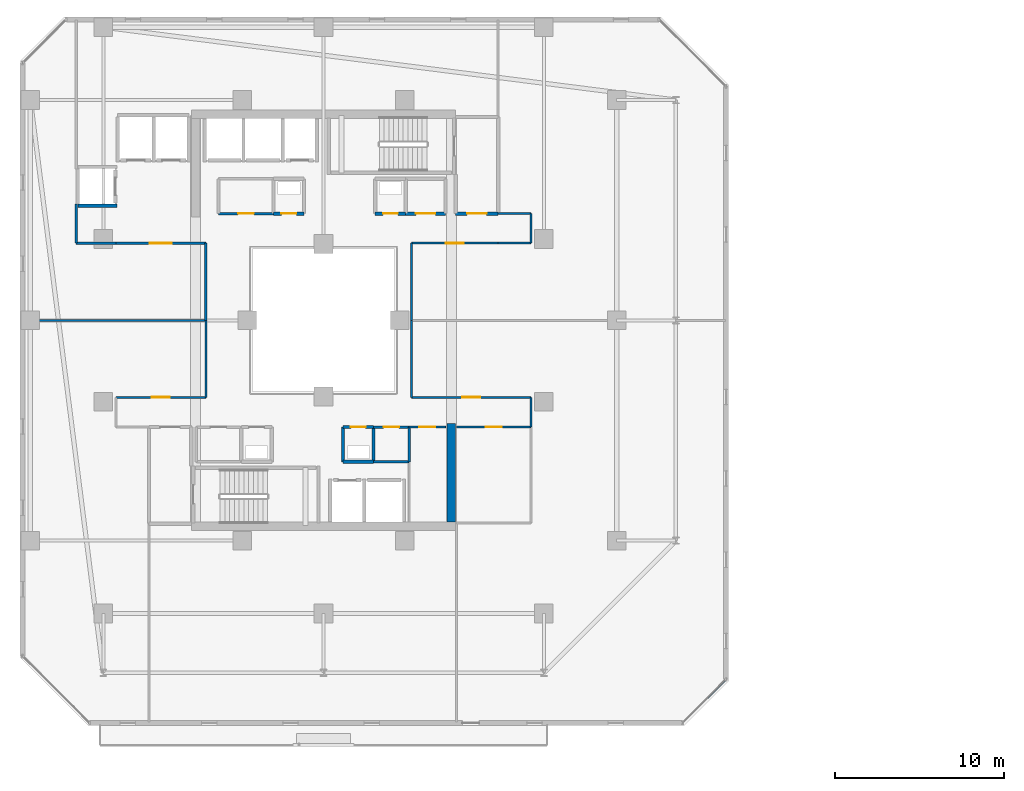
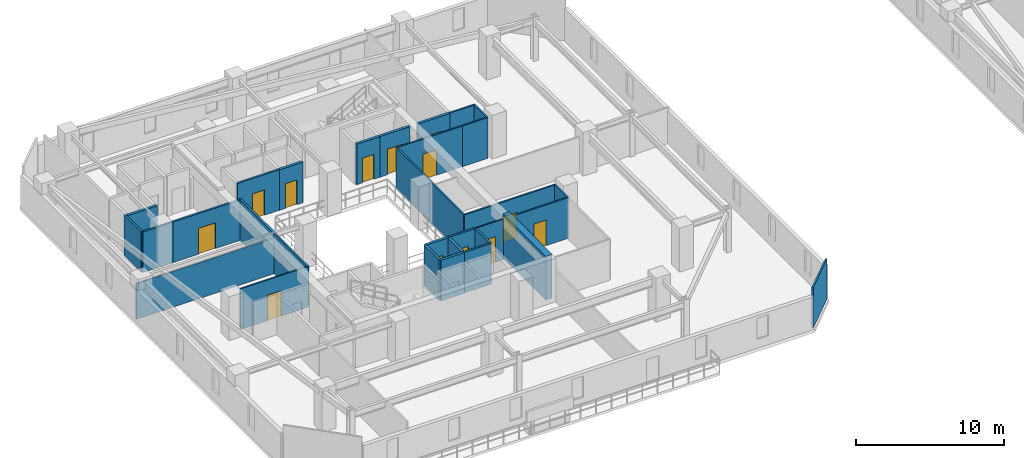
# One storey, part 20 of 32: 32 walls, 13 doors, 13 openings.
"""IFC4 building model written with IfcOpenShell, lengths in metres."""

import ifcopenshell
import ifcopenshell.guid

model = None  # the IFC model being written
_history = None  # IfcOwnerHistory: only IFC2X3 demands one
_inside = {}  # id of a spatial element -> (the spatial element, [elements in it])
_under = {}  # id of a project, library or spatial element -> (it, [spatial elements below it])
_declared = {}  # id of a project -> (the project, [libraries it declares])
_typed = {}  # id of a type object -> (the type object, [elements of that type])
_made_of = {}  # id of a material, layer set ... -> (it, [elements and type objects made of it])


def new_model(schema):
    """Start an empty IFC model of exactly this schema.

    Asked for "IFC4X3", IfcOpenShell would pick the latest addendum, in which some entities
    have other attributes; the version numbers below select the first issue.
    IFC2X3 requires an IfcOwnerHistory on every rooted entity: one is made here for all.
    """
    global model, _history
    if schema == "IFC4X3":
        model = ifcopenshell.file(schema_version=(4, 3, 0, 0))
    else:
        model = ifcopenshell.file(schema=schema)
    _inside.clear()
    _under.clear()
    _declared.clear()
    _typed.clear()
    _made_of.clear()
    _history = None
    if model.schema == "IFC2X3":
        org = make("IfcOrganization", Name="unknown")
        user = make(
            "IfcPersonAndOrganization",
            ThePerson=make("IfcPerson", FamilyName="unknown"),
            TheOrganization=org,
        )
        app = make(
            "IfcApplication",
            ApplicationDeveloper=org,
            Version="unknown",
            ApplicationFullName="unknown",
            ApplicationIdentifier="unknown",
        )
        _history = make(
            "IfcOwnerHistory",
            OwningUser=user,
            OwningApplication=app,
            ChangeAction="ADDED",
            CreationDate=0,
        )
    return model


def make(cls, **values):
    """One entity of the class cls with the attributes given. An attribute that is None is left unset."""
    return model.create_entity(
        cls, **{name: value for name, value in values.items() if value is not None}
    )


def rooted(cls, **values):
    """An entity with a GlobalId (a new one), such as an element, a storey or a relation."""
    return make(cls, GlobalId=ifcopenshell.guid.new(), OwnerHistory=_history, **values)


def si_unit(unit_type, name, prefix=None):
    """IfcSIUnit, for example si_unit("LENGTHUNIT", "METRE", prefix="MILLI")."""
    return make("IfcSIUnit", UnitType=unit_type, Prefix=prefix, Name=name)


def assignment(units):
    """IfcUnitAssignment: the units of a project."""
    return None if units is None else make("IfcUnitAssignment", Units=units)


def point(xyz):
    """IfcCartesianPoint."""
    return None if xyz is None else make("IfcCartesianPoint", Coordinates=xyz)


def direction(xyz):
    """IfcDirection."""
    return None if xyz is None else make("IfcDirection", DirectionRatios=xyz)


def frame(location, z_axis=None, x_axis=None):
    """IfcAxis2Placement3D, a coordinate frame: its origin and axes. An axis left out is left unset."""
    return make(
        "IfcAxis2Placement3D",
        Location=point(location),
        Axis=direction(z_axis),
        RefDirection=direction(x_axis),
    )


def frame_2d(location, x_axis=None):
    """IfcAxis2Placement2D, a coordinate frame in the plane: its origin and x axis."""
    return make(
        "IfcAxis2Placement2D", Location=point(location), RefDirection=direction(x_axis)
    )


def origin():
    """The frame at (0, 0, 0) with its axes left unset."""
    return frame((0.0, 0.0, 0.0))


def place(relative_to, where):
    """IfcLocalPlacement: puts the frame where relative to a parent placement (None: the world)."""
    return make(
        "IfcLocalPlacement", PlacementRelTo=relative_to, RelativePlacement=where
    )


def context(
    kind, dimensions, precision=None, world=None, true_north=None, identifier=None
):
    """IfcGeometricRepresentationContext, for example the 3D "Model" context."""
    return make(
        "IfcGeometricRepresentationContext",
        ContextIdentifier=identifier,
        ContextType=kind,
        CoordinateSpaceDimension=dimensions,
        Precision=precision,
        WorldCoordinateSystem=world,
        TrueNorth=true_north,
    )


def subcontext(parent, identifier, kind, view, scale=None):
    """IfcGeometricRepresentationSubContext, for example "Body" below "Model"."""
    return make(
        "IfcGeometricRepresentationSubContext",
        ContextIdentifier=identifier,
        ContextType=kind,
        ParentContext=parent,
        TargetScale=scale,
        TargetView=view,
    )


def project(units=None, contexts=None):
    """IfcProject with its units and contexts."""
    return rooted(
        "IfcProject",
        Name="project",
        RepresentationContexts=contexts,
        UnitsInContext=assignment(units),
    )


def spatial(cls, under=None, at=None, **own):
    """A site, building, storey or space (cls), placed at a placement, below another one or the project."""
    s = rooted(cls, ObjectPlacement=at, **own)
    if under is not None:
        _under.setdefault(under.id(), (under, []))[1].append(s)
    return s


def profile(cls, at=None, kind="AREA", **sizes):
    """A parametric profile (cls). Its sizes go by their IFC names, for example OverallWidth=200.0."""
    return make(cls, ProfileType=kind, Position=at, **sizes)


def rectangle(**sizes):
    """IfcRectangleProfileDef."""
    return profile("IfcRectangleProfileDef", **sizes)


def extrude(swept, where, along, depth):
    """IfcExtrudedAreaSolid: the profile swept, set in the frame where, extruded along a direction by depth."""
    return make(
        "IfcExtrudedAreaSolid",
        SweptArea=swept,
        Position=where,
        ExtrudedDirection=direction(along),
        Depth=depth,
    )


def shape(context_of_items, identifier, shape_type, items):
    """IfcShapeRepresentation: the items that make up one representation, for example the "Body"."""
    return make(
        "IfcShapeRepresentation",
        ContextOfItems=context_of_items,
        RepresentationIdentifier=identifier,
        RepresentationType=shape_type,
        Items=items,
    )


def material(Name=None, Category=None):
    """IfcMaterial."""
    return make("IfcMaterial", Name=Name, Category=Category)


def layer(
    of_material, thickness, ventilated=None, Name=None, Category=None, Priority=None
):
    """IfcMaterialLayer: one layer of a wall or slab, of a material (None: an air gap)."""
    return make(
        "IfcMaterialLayer",
        Material=of_material,
        LayerThickness=thickness,
        IsVentilated=ventilated,
        Name=Name,
        Category=Category,
        Priority=Priority,
    )


def layer_set(layers, Name=None):
    """IfcMaterialLayerSet."""
    return make("IfcMaterialLayerSet", MaterialLayers=layers, LayerSetName=Name)


def made_of(thing, what):
    """Note that an element or type object is made of a material, layer set ...; save() writes the relation."""
    if what is not None:
        _made_of.setdefault(what.id(), (what, []))[1].append(thing)
    return thing


def type_object(cls, material=None, **own):
    """A type object (cls), such as IfcWallType, which elements share."""
    return made_of(rooted(cls, **own), material)


def element(
    cls,
    number,
    at=None,
    inside=None,
    cuts=None,
    type_object=None,
    material=None,
    context=None,
    identifier="Body",
    shape_type=None,
    held_by="IfcProductDefinitionShape",
    body=None,
    shapes=None,
    **own,
):
    """One element of the class cls, such as IfcWall. Its Tag is "e" and its number.

    at: its placement. inside: the storey or other place that contains it. cuts: it is an
    opening in that element (IfcRelVoidsElement). A single representation is given by context,
    identifier, shape_type and body (its items); several are given by shapes. held_by: the class
    of the entity that holds the representations. save() writes the other relations.
    """
    e = rooted(cls, Tag="e%d" % number, ObjectPlacement=at, **own)
    if body is not None:
        shapes = [shape(context, identifier, shape_type, body)]
    if shapes is not None:
        e.Representation = make(held_by, Representations=shapes)
    if inside is not None:
        _inside.setdefault(inside.id(), (inside, []))[1].append(e)
    if cuts is not None:
        rooted(
            "IfcRelVoidsElement", RelatingBuildingElement=cuts, RelatedOpeningElement=e
        )
    if type_object is not None:
        _typed.setdefault(type_object.id(), (type_object, []))[1].append(e)
    return made_of(e, material)


def fill(opening, filler):
    """IfcRelFillsElement: the door or window that sits in an opening."""
    return rooted(
        "IfcRelFillsElement",
        RelatingOpeningElement=opening,
        RelatedBuildingElement=filler,
    )


def aggregate(whole, parts):
    """IfcRelAggregates: a whole, such as a stair, and the parts it consists of."""
    return rooted("IfcRelAggregates", RelatingObject=whole, RelatedObjects=parts)


def save(model, path):
    """Write the relations noted so far, then the file.

    IfcRelAggregates (storeys below a building ...), IfcRelContainedInSpatialStructure (elements
    in a storey), IfcRelDefinesByType, IfcRelAssociatesMaterial and IfcRelDeclares: one each for
    every whole, place, type object, material and project.
    """
    for whole, parts in _under.values():
        aggregate(whole, parts)
    for where, things in _inside.values():
        rooted(
            "IfcRelContainedInSpatialStructure",
            RelatedElements=things,
            RelatingStructure=where,
        )
    for kind, things in _typed.values():
        rooted("IfcRelDefinesByType", RelatedObjects=things, RelatingType=kind)
    for what, things in _made_of.values():
        rooted("IfcRelAssociatesMaterial", RelatedObjects=things, RelatingMaterial=what)
    for by, libraries in _declared.values():
        rooted("IfcRelDeclares", RelatingContext=by, RelatedDefinitions=libraries)
    model.write(path)


model = new_model("IFC4")

# Units and contexts
model_context = context("Model", 3, precision=1e-05, world=origin(), true_north=direction((0.0, 1.0)))
body_context = subcontext(model_context, "Body", "Model", "MODEL_VIEW")
ifc_project = project(units=[si_unit("LENGTHUNIT", "METRE"), si_unit("AREAUNIT", "SQUARE_METRE"), si_unit("VOLUMEUNIT", "CUBIC_METRE"), si_unit("PLANEANGLEUNIT", "RADIAN"), si_unit("MASSUNIT", "GRAM", prefix="KILO")], contexts=[model_context])

# Site, building, storey
site_placement = place(None, origin())
site = spatial("IfcSite", under=ifc_project, at=site_placement, CompositionType="ELEMENT")
building_placement = place(site_placement, origin())
building = spatial("IfcBuilding", under=site, at=building_placement, Name="Thornwick Lancets Civic Towers", CompositionType="ELEMENT")
storey_placement = place(building_placement, frame((0.0, 0.0, 152.699951171875)))
storey = spatial("IfcBuildingStorey", under=building, at=storey_placement, Name="L40", CompositionType="ELEMENT", Elevation=152.699951171875)

# Wall
ifc_material_1 = material(Name="Concrete blockwork C40/50", Category="masonry")
ifc_layer_1 = layer(ifc_material_1, 0.199951171875, Name="Concrete blockwork C40/50")
ifc_layer_set_1 = layer_set([ifc_layer_1], Name="Concrete blockwork C40/50")
wall_type_1 = type_object("IfcWallType", Name="WALL_COMP_200", PredefinedType="STANDARD", material=ifc_layer_set_1)
wall_1_placement = place(storey_placement, frame((11.001953125, 33.75, 0.0), z_axis=(0.0, 0.0, 1.0), x_axis=(1.0, 0.0, 0.0)))
element("IfcWall", 1, at=wall_1_placement, inside=storey, type_object=wall_type_1, Name="L40 Hoistway Shaft Wall PL-AM3 S", PredefinedType="STANDARD", context=body_context, shape_type="SweptSolid", body=[
    extrude(rectangle(XDim=2.296142578125, YDim=0.199951171875, at=frame_2d((1.14794921875, 0.0))), origin(), (0.0, 0.0, 1.0), 3.340087890625),
])

# Wall, opening, door
wall_2_placement = place(storey_placement, frame((33.300048828125, 33.300048828125, 0.0), z_axis=(0.0, 0.0, 1.0), x_axis=(1.0, 0.0, 0.0)))
wall_2 = element("IfcWall", 2, at=wall_2_placement, inside=storey, type_object=wall_type_1, Name="L40 Partition L40-A-FFLOB2 E1", PredefinedType="STANDARD", context=body_context, shape_type="SweptSolid", body=[
    extrude(rectangle(XDim=2.5, YDim=0.199951171875, at=frame_2d((1.25, 0.0))), origin(), (0.0, 0.0, 1.0), 3.340087890625),
])
opening_1_placement = place(wall_2_placement, frame((0.675048828125, 0.0, 0.0)))
opening_1 = element("IfcOpeningElement", 3, at=opening_1_placement, cuts=wall_2, Name="Opening D-L40-1794", PredefinedType="OPENING", context=body_context, shape_type="SweptSolid", body=[
    extrude(rectangle(XDim=1.14990234375, YDim=2.10009765625, at=frame_2d((0.574951171875, 1.050048828125))), frame((0.0, 0.10986328125, 0.0), z_axis=(0.0, -1.0, 0.0), x_axis=(1.0, 0.0, 0.0)), (0.0, 0.0, 1.0), 0.219970703125),
])
ifc_material_2 = material(Name="Glazed fire-resisting steel", Category="steel")
door_type_1 = type_object("IfcDoorType", Name="DOOR_LOBBY_FD60", OperationType="NOTDEFINED", PredefinedType="DOOR", material=ifc_material_2)
door_1_placement = place(opening_1_placement, origin())
door_1 = element("IfcDoor", 4, at=door_1_placement, inside=storey, type_object=door_type_1, Name="L40 North Firefighting Lobby 2 Door", OperationType="SINGLE_SWING_LEFT", OverallHeight=2.10009765625, OverallWidth=1.14990234375, PredefinedType="DOOR", context=body_context, shape_type="SweptSolid", body=[
    extrude(rectangle(XDim=1.14990234375, YDim=2.10009765625, at=frame_2d((0.574951171875, 1.050048828125))), frame((0.0, 0.02490234375, 0.0), z_axis=(0.0, -1.0, 0.0), x_axis=(1.0, 0.0, 0.0)), (0.0, 0.0, 1.0), 0.050048828125),
])
fill(opening_1, door_1)

# Walls
wall_3_placement = place(storey_placement, frame((26.64990234375, 18.64990234375, 0.0), z_axis=(0.0, 0.0, 1.0), x_axis=(1.0, 0.0, 0.0)))
element("IfcWall", 5, at=wall_3_placement, inside=storey, type_object=wall_type_1, Name="L40 Partition L40-A-DUCT1 E1", PredefinedType="STANDARD", context=body_context, shape_type="SweptSolid", body=[
    extrude(rectangle(XDim=1.800048828125, YDim=0.199951171875, at=frame_2d((0.89990234375, 0.0))), origin(), (0.0, 0.0, 1.0), 3.340087890625),
])
wall_4_placement = place(storey_placement, frame((28.449951171875, 18.64990234375, 0.0), z_axis=(0.0, 0.0, 1.0), x_axis=(0.0, 1.0, 0.0)))
element("IfcWall", 6, at=wall_4_placement, inside=storey, type_object=wall_type_1, Name="L40 Partition L40-A-DUCT1 E2", PredefinedType="STANDARD", context=body_context, shape_type="SweptSolid", body=[
    extrude(rectangle(XDim=2.050048828125, YDim=0.199951171875, at=frame_2d((1.02490234375, 0.0))), origin(), (0.0, 0.0, 1.0), 3.340087890625),
])

# Wall, opening, door
wall_5_placement = place(storey_placement, frame((28.449951171875, 20.699951171875, 0.0), z_axis=(0.0, 0.0, 1.0), x_axis=(-1.0, 0.0, 0.0)))
wall_5 = element("IfcWall", 7, at=wall_5_placement, inside=storey, type_object=wall_type_1, Name="L40 Partition L40-A-DUCT1 E3", PredefinedType="STANDARD", context=body_context, shape_type="SweptSolid", body=[
    extrude(rectangle(XDim=1.800048828125, YDim=0.199951171875, at=frame_2d((0.89990234375, 0.0))), origin(), (0.0, 0.0, 1.0), 3.340087890625),
])
opening_2_placement = place(wall_5_placement, frame((0.4599609375, 0.0, 0.0)))
opening_2 = element("IfcOpeningElement", 8, at=opening_2_placement, cuts=wall_5, Name="Opening D-L40-1795", PredefinedType="OPENING", context=body_context, shape_type="SweptSolid", body=[
    extrude(rectangle(XDim=0.8798828125, YDim=2.0400390625, at=frame_2d((0.43994140625, 1.02001953125))), frame((0.0, 0.10986328125, 0.0), z_axis=(0.0, -1.0, 0.0), x_axis=(1.0, 0.0, 0.0)), (0.0, 0.0, 1.0), 0.219970703125),
])
ifc_material_3 = material(Name="Steel riser access doorset", Category="steel")
door_type_2 = type_object("IfcDoorType", Name="DOOR_RISER_850", OperationType="NOTDEFINED", PredefinedType="DOOR", material=ifc_material_3)
door_2_placement = place(opening_2_placement, origin())
door_2 = element("IfcDoor", 9, at=door_2_placement, inside=storey, type_object=door_type_2, Name="L40 South Service Duct 1 Door", OperationType="SINGLE_SWING_RIGHT", OverallHeight=2.0400390625, OverallWidth=0.8798828125, PredefinedType="DOOR", context=body_context, shape_type="SweptSolid", body=[
    extrude(rectangle(XDim=0.8798828125, YDim=2.0400390625, at=frame_2d((0.43994140625, 1.02001953125))), frame((0.0, 0.02490234375, 0.0), z_axis=(0.0, -1.0, 0.0), x_axis=(1.0, 0.0, 0.0)), (0.0, 0.0, 1.0), 0.050048828125),
])
fill(opening_2, door_2)

# Wall
wall_6_placement = place(storey_placement, frame((26.64990234375, 20.699951171875, 0.0), z_axis=(0.0, 0.0, 1.0), x_axis=(0.0, -1.0, 0.0)))
element("IfcWall", 10, at=wall_6_placement, inside=storey, type_object=wall_type_1, Name="L40 Partition L40-A-DUCT1 E4", PredefinedType="STANDARD", context=body_context, shape_type="SweptSolid", body=[
    extrude(rectangle(XDim=2.050048828125, YDim=0.199951171875, at=frame_2d((1.02490234375, 0.0))), origin(), (0.0, 0.0, 1.0), 3.340087890625),
])

# Wall, opening, door
wall_7_placement = place(storey_placement, frame((22.550048828125, 33.300048828125, 0.0), z_axis=(0.0, 0.0, 1.0), x_axis=(1.0, 0.0, 0.0)))
wall_7 = element("IfcWall", 11, at=wall_7_placement, inside=storey, type_object=wall_type_1, Name="L40 Partition L40-A-DUCT2 E1", PredefinedType="STANDARD", context=body_context, shape_type="SweptSolid", body=[
    extrude(rectangle(XDim=1.800048828125, YDim=0.199951171875, at=frame_2d((0.89990234375, 0.0))), origin(), (0.0, 0.0, 1.0), 3.340087890625),
])
opening_3_placement = place(wall_7_placement, frame((0.4599609375, 0.0, 0.0)))
opening_3 = element("IfcOpeningElement", 12, at=opening_3_placement, cuts=wall_7, Name="Opening D-L40-1797", PredefinedType="OPENING", context=body_context, shape_type="SweptSolid", body=[
    extrude(rectangle(XDim=0.8798828125, YDim=2.0400390625, at=frame_2d((0.43994140625, 1.02001953125))), frame((0.0, 0.10986328125, 0.0), z_axis=(0.0, -1.0, 0.0), x_axis=(1.0, 0.0, 0.0)), (0.0, 0.0, 1.0), 0.219970703125),
])
door_3_placement = place(opening_3_placement, origin())
door_3 = element("IfcDoor", 13, at=door_3_placement, inside=storey, type_object=door_type_2, Name="L40 North Service Duct 2 Door", OperationType="SINGLE_SWING_RIGHT", OverallHeight=2.0400390625, OverallWidth=0.8798828125, PredefinedType="DOOR", context=body_context, shape_type="SweptSolid", body=[
    extrude(rectangle(XDim=0.8798828125, YDim=2.0400390625, at=frame_2d((0.43994140625, 1.02001953125))), frame((0.0, 0.02490234375, 0.0), z_axis=(0.0, -1.0, 0.0), x_axis=(1.0, 0.0, 0.0)), (0.0, 0.0, 1.0), 0.050048828125),
])
fill(opening_3, door_3)

wall_8_placement = place(storey_placement, frame((28.550048828125, 33.300048828125, 0.0), z_axis=(0.0, 0.0, 1.0), x_axis=(1.0, 0.0, 0.0)))
wall_8 = element("IfcWall", 14, at=wall_8_placement, inside=storey, type_object=wall_type_1, Name="L40 Partition L40-A-RISER2 E1", PredefinedType="STANDARD", context=body_context, shape_type="SweptSolid", body=[
    extrude(rectangle(XDim=1.800048828125, YDim=0.199951171875, at=frame_2d((0.89990234375, 0.0))), origin(), (0.0, 0.0, 1.0), 3.340087890625),
])
opening_4_placement = place(wall_8_placement, frame((0.4599609375, 0.0, 0.0)))
opening_4 = element("IfcOpeningElement", 15, at=opening_4_placement, cuts=wall_8, Name="Opening D-L40-1798", PredefinedType="OPENING", context=body_context, shape_type="SweptSolid", body=[
    extrude(rectangle(XDim=0.8798828125, YDim=2.0400390625, at=frame_2d((0.43994140625, 1.02001953125))), frame((0.0, 0.10986328125, 0.0), z_axis=(0.0, -1.0, 0.0), x_axis=(1.0, 0.0, 0.0)), (0.0, 0.0, 1.0), 0.219970703125),
])
door_4_placement = place(opening_4_placement, origin())
door_4 = element("IfcDoor", 16, at=door_4_placement, inside=storey, type_object=door_type_2, Name="L40 North Service Riser 2 Door", OperationType="SINGLE_SWING_LEFT", OverallHeight=2.0400390625, OverallWidth=0.8798828125, PredefinedType="DOOR", context=body_context, shape_type="SweptSolid", body=[
    extrude(rectangle(XDim=0.8798828125, YDim=2.0400390625, at=frame_2d((0.43994140625, 1.02001953125))), frame((0.0, 0.02490234375, 0.0), z_axis=(0.0, -1.0, 0.0), x_axis=(1.0, 0.0, 0.0)), (0.0, 0.0, 1.0), 0.050048828125),
])
fill(opening_4, door_4)

wall_9_placement = place(storey_placement, frame((32.699951171875, 33.300048828125, 0.0), z_axis=(0.0, 0.0, 1.0), x_axis=(-1.0, 0.0, 0.0)))
wall_9 = element("IfcWall", 17, at=wall_9_placement, inside=storey, type_object=wall_type_1, Name="L40 Partition L40-A-STR E2", PredefinedType="STANDARD", context=body_context, shape_type="SweptSolid", body=[
    extrude(rectangle(XDim=2.349853515625, YDim=0.199951171875, at=frame_2d((1.1748046875, 0.0))), origin(), (0.0, 0.0, 1.0), 3.340087890625),
])
opening_5_placement = place(wall_9_placement, frame((0.60009765625, 0.0, 0.0)))
opening_5 = element("IfcOpeningElement", 18, at=opening_5_placement, cuts=wall_9, Name="Opening D-L40-1803", PredefinedType="OPENING", context=body_context, shape_type="SweptSolid", body=[
    extrude(rectangle(XDim=1.14990234375, YDim=2.10009765625, at=frame_2d((0.574951171875, 1.050048828125))), frame((0.0, 0.10986328125, 0.0), z_axis=(0.0, -1.0, 0.0), x_axis=(1.0, 0.0, 0.0)), (0.0, 0.0, 1.0), 0.219970703125),
])
door_5_placement = place(opening_5_placement, origin())
door_5 = element("IfcDoor", 19, at=door_5_placement, inside=storey, type_object=door_type_1, Name="L40 Tower A Core Equipment Store Door", OperationType="SINGLE_SWING_RIGHT", OverallHeight=2.10009765625, OverallWidth=1.14990234375, PredefinedType="DOOR", context=body_context, shape_type="SweptSolid", body=[
    extrude(rectangle(XDim=1.14990234375, YDim=2.10009765625, at=frame_2d((0.574951171875, 1.050048828125))), frame((0.0, 0.02490234375, 0.0), z_axis=(0.0, -1.0, 0.0), x_axis=(1.0, 0.0, 0.0)), (0.0, 0.0, 1.0), 0.050048828125),
])
fill(opening_5, door_5)

# Wall
ifc_material_4 = material(Name="Concrete C50/60", Category="concrete")
ifc_layer_2 = layer(ifc_material_4, 0.5, Name="Concrete C50/60")
ifc_layer_set_2 = layer_set([ifc_layer_2], Name="Concrete C50/60")
wall_type_2 = type_object("IfcWallType", Name="WALL_CORE_500", PredefinedType="SHEAR", material=ifc_layer_set_2)
wall_10_placement = place(storey_placement, frame((33.050048828125, 15.10009765625, 0.0), z_axis=(0.0, 0.0, 1.0), x_axis=(0.0, 1.0, 0.0)))
element("IfcWall", 20, at=wall_10_placement, inside=storey, type_object=wall_type_2, Name="L40 Split Core A1 Shear Wall E", PredefinedType="SHEAR", context=body_context, shape_type="SweptSolid", body=[
    extrude(rectangle(XDim=5.7998046875, YDim=0.5, at=frame_2d((2.89990234375, 0.0))), origin(), (0.0, 0.0, 1.0), 3.60009765625),
])

# Wall, opening, door
ifc_material_5 = material(Name="Lightweight cellular office partition")
ifc_layer_3 = layer(ifc_material_5, 0.10009765625, Name="Lightweight cellular office partition")
ifc_layer_set_3 = layer_set([ifc_layer_3], Name="Lightweight cellular office partition")
wall_type_3 = type_object("IfcWallType", Name="WALL_PART_100", PredefinedType="PARTITIONING", material=ifc_layer_set_3)
wall_11_placement = place(storey_placement, frame((30.550048828125, 20.699951171875, 0.0), z_axis=(0.0, 0.0, 1.0), x_axis=(1.0, 0.0, 0.0)))
wall_11 = element("IfcWall", 21, at=wall_11_placement, inside=storey, type_object=wall_type_3, Name="L40 Partition L40-A-CLN E5", PredefinedType="PARTITIONING", context=body_context, shape_type="SweptSolid", body=[
    extrude(rectangle(XDim=2.14990234375, YDim=0.10009765625, at=frame_2d((1.074951171875, 0.0))), origin(), (0.0, 0.0, 1.0), 3.340087890625),
])
opening_6_placement = place(wall_11_placement, frame((0.60009765625, 0.0, 0.0)))
opening_6 = element("IfcOpeningElement", 22, at=opening_6_placement, cuts=wall_11, Name="Opening D-L40-1801", PredefinedType="OPENING", context=body_context, shape_type="SweptSolid", body=[
    extrude(rectangle(XDim=0.949951171875, YDim=2.10009765625, at=frame_2d((0.47509765625, 1.050048828125))), frame((0.0, 0.06005859375, 0.0), z_axis=(0.0, -1.0, 0.0), x_axis=(1.0, 0.0, 0.0)), (0.0, 0.0, 1.0), 0.1201171875),
])
ifc_material_6 = material(Name="European oak acoustic doorset")
door_type_3 = type_object("IfcDoorType", Name="DOOR_OFFICE_950", OperationType="NOTDEFINED", PredefinedType="DOOR", material=ifc_material_6)
door_6_placement = place(opening_6_placement, origin())
door_6 = element("IfcDoor", 23, at=door_6_placement, inside=storey, type_object=door_type_3, Name="L40 Tower A Cleaners Store Door", OperationType="SINGLE_SWING_RIGHT", OverallHeight=2.10009765625, OverallWidth=0.949951171875, PredefinedType="DOOR", context=body_context, shape_type="SweptSolid", body=[
    extrude(rectangle(XDim=0.949951171875, YDim=2.10009765625, at=frame_2d((0.47509765625, 1.050048828125))), frame((0.0, 0.02490234375, 0.0), z_axis=(0.0, -1.0, 0.0), x_axis=(1.0, 0.0, 0.0)), (0.0, 0.0, 1.0), 0.050048828125),
])
fill(opening_6, door_6)

ifc_material_7 = material(Name="Acoustic gypsum board partition")
ifc_layer_4 = layer(ifc_material_7, 0.1201171875, Name="Acoustic gypsum board partition")
ifc_layer_set_4 = layer_set([ifc_layer_4], Name="Acoustic gypsum board partition")
wall_type_4 = type_object("IfcWallType", Name="WALL_PART_120", PredefinedType="PARTITIONING", material=ifc_layer_set_4)
wall_12_placement = place(storey_placement, frame((33.35009765625, 20.699951171875, 0.0), z_axis=(0.0, 0.0, 1.0), x_axis=(1.0, 0.0, 0.0)))
wall_12 = element("IfcWall", 24, at=wall_12_placement, inside=storey, type_object=wall_type_4, Name="L40 Partition L40-A-RECLAIM-L1 E3", PredefinedType="PARTITIONING", context=body_context, shape_type="SweptSolid", body=[
    extrude(rectangle(XDim=4.39990234375, YDim=0.1201171875, at=frame_2d((2.199951171875, 0.0))), origin(), (0.0, 0.0, 1.0), 3.340087890625),
])
opening_7_placement = place(wall_12_placement, frame((1.72509765625, 0.0, 0.0)))
opening_7 = element("IfcOpeningElement", 25, at=opening_7_placement, cuts=wall_12, Name="Opening D-L40-1815", PredefinedType="OPENING", context=body_context, shape_type="SweptSolid", body=[
    extrude(rectangle(XDim=0.949951171875, YDim=2.10009765625, at=frame_2d((0.47509765625, 1.050048828125))), frame((0.0, 0.070068359375, 0.0), z_axis=(0.0, -1.0, 0.0), x_axis=(1.0, 0.0, 0.0)), (0.0, 0.0, 1.0), 0.14013671875),
])
door_7_placement = place(opening_7_placement, origin())
door_7 = element("IfcDoor", 26, at=door_7_placement, inside=storey, type_object=door_type_3, Name="L40 Tower A Policy Archive and Library Door", OperationType="SINGLE_SWING_RIGHT", OverallHeight=2.10009765625, OverallWidth=0.949951171875, PredefinedType="DOOR", context=body_context, shape_type="SweptSolid", body=[
    extrude(rectangle(XDim=0.949951171875, YDim=2.10009765625, at=frame_2d((0.47509765625, 1.050048828125))), frame((0.0, 0.02490234375, 0.0), z_axis=(0.0, -1.0, 0.0), x_axis=(1.0, 0.0, 0.0)), (0.0, 0.0, 1.0), 0.050048828125),
])
fill(opening_7, door_7)

# Wall
wall_13_placement = place(storey_placement, frame((18.550048828125, 27.0, 0.0), z_axis=(0.0, 0.0, 1.0), x_axis=(0.0, -1.0, 0.0)))
element("IfcWall", 27, at=wall_13_placement, inside=storey, type_object=wall_type_4, Name="L40 Partition L40-A-W1 E1", PredefinedType="PARTITIONING", context=body_context, shape_type="SweptSolid", body=[
    extrude(rectangle(XDim=4.550048828125, YDim=0.1201171875, at=frame_2d((2.27490234375, 0.0))), origin(), (0.0, 0.0, 1.0), 3.340087890625),
])

# Wall, opening, door
wall_14_placement = place(storey_placement, frame((18.550048828125, 22.449951171875, 0.0), z_axis=(0.0, 0.0, 1.0), x_axis=(-1.0, 0.0, 0.0)))
wall_14 = element("IfcWall", 28, at=wall_14_placement, inside=storey, type_object=wall_type_4, Name="L40 Partition L40-A-W1 E2", PredefinedType="PARTITIONING", context=body_context, shape_type="SweptSolid", body=[
    extrude(rectangle(XDim=5.300048828125, YDim=0.1201171875, at=frame_2d((2.64990234375, 0.0))), origin(), (0.0, 0.0, 1.0), 3.340087890625),
])
opening_8_placement = place(wall_14_placement, frame((2.125, 0.0, 0.0)))
opening_8 = element("IfcOpeningElement", 29, at=opening_8_placement, cuts=wall_14, Name="Opening D-L40-1816", PredefinedType="OPENING", context=body_context, shape_type="SweptSolid", body=[
    extrude(rectangle(XDim=1.050048828125, YDim=2.10009765625, at=frame_2d((0.52490234375, 1.050048828125))), frame((0.0, 0.070068359375, 0.0), z_axis=(0.0, -1.0, 0.0), x_axis=(1.0, 0.0, 0.0)), (0.0, 0.0, 1.0), 0.14013671875),
])
ifc_material_8 = material(Name="Glazed European oak executive doorset")
door_type_4 = type_object("IfcDoorType", Name="DOOR_OFFICE_1050", OperationType="NOTDEFINED", PredefinedType="DOOR", material=ifc_material_8)
door_8_placement = place(opening_8_placement, origin())
door_8 = element("IfcDoor", 30, at=door_8_placement, inside=storey, type_object=door_type_4, Name="L40 Tower A Ministry Directorate Office W1 Door", OperationType="SINGLE_SWING_LEFT", OverallHeight=2.10009765625, OverallWidth=1.050048828125, PredefinedType="DOOR", context=body_context, shape_type="SweptSolid", body=[
    extrude(rectangle(XDim=1.050048828125, YDim=2.10009765625, at=frame_2d((0.52490234375, 1.050048828125))), frame((0.0, 0.02490234375, 0.0), z_axis=(0.0, -1.0, 0.0), x_axis=(1.0, 0.0, 0.0)), (0.0, 0.0, 1.0), 0.050048828125),
])
fill(opening_8, door_8)

# Walls
wall_15_placement = place(storey_placement, frame((7.780029296875, 27.0, 0.0), z_axis=(0.0, 0.0, 1.0), x_axis=(1.0, 0.0, 0.0)))
element("IfcWall", 31, at=wall_15_placement, inside=storey, type_object=wall_type_4, Name="L40 Partition L40-A-W1 E10", PredefinedType="PARTITIONING", context=body_context, shape_type="SweptSolid", body=[
    extrude(rectangle(XDim=10.77001953125, YDim=0.1201171875, at=frame_2d((5.385009765625, 0.0))), origin(), (0.0, 0.0, 1.0), 2.93212890625),
])
wall_16_placement = place(storey_placement, frame((37.75, 20.699951171875, 0.0), z_axis=(0.0, 0.0, 1.0), x_axis=(0.0, 1.0, 0.0)))
element("IfcWall", 32, at=wall_16_placement, inside=storey, type_object=wall_type_4, Name="L40 Partition L40-A-E1 E5", PredefinedType="PARTITIONING", context=body_context, shape_type="SweptSolid", body=[
    extrude(rectangle(XDim=1.75, YDim=0.1201171875, at=frame_2d((0.875, 0.0))), origin(), (0.0, 0.0, 1.0), 3.340087890625),
])

# Wall, opening, door
wall_17_placement = place(storey_placement, frame((37.75, 22.449951171875, 0.0), z_axis=(0.0, 0.0, 1.0), x_axis=(-1.0, 0.0, 0.0)))
wall_17 = element("IfcWall", 33, at=wall_17_placement, inside=storey, type_object=wall_type_4, Name="L40 Partition L40-A-E1 E6", PredefinedType="PARTITIONING", context=body_context, shape_type="SweptSolid", body=[
    extrude(rectangle(XDim=7.050048828125, YDim=0.1201171875, at=frame_2d((3.52490234375, 0.0))), origin(), (0.0, 0.0, 1.0), 3.340087890625),
])
opening_9_placement = place(wall_17_placement, frame((3.0, 0.0, 0.0)))
opening_9 = element("IfcOpeningElement", 34, at=opening_9_placement, cuts=wall_17, Name="Opening D-L40-1818", PredefinedType="OPENING", context=body_context, shape_type="SweptSolid", body=[
    extrude(rectangle(XDim=1.050048828125, YDim=2.10009765625, at=frame_2d((0.52490234375, 1.050048828125))), frame((0.0, 0.070068359375, 0.0), z_axis=(0.0, -1.0, 0.0), x_axis=(1.0, 0.0, 0.0)), (0.0, 0.0, 1.0), 0.14013671875),
])
door_9_placement = place(opening_9_placement, origin())
door_9 = element("IfcDoor", 35, at=door_9_placement, inside=storey, type_object=door_type_4, Name="L40 Tower A Secretariat Open Office E1 Door", OperationType="SINGLE_SWING_LEFT", OverallHeight=2.10009765625, OverallWidth=1.050048828125, PredefinedType="DOOR", context=body_context, shape_type="SweptSolid", body=[
    extrude(rectangle(XDim=1.050048828125, YDim=2.10009765625, at=frame_2d((0.52490234375, 1.050048828125))), frame((0.0, 0.02490234375, 0.0), z_axis=(0.0, -1.0, 0.0), x_axis=(1.0, 0.0, 0.0)), (0.0, 0.0, 1.0), 0.050048828125),
])
fill(opening_9, door_9)

# Walls
wall_18_placement = place(storey_placement, frame((30.699951171875, 22.449951171875, 0.0), z_axis=(0.0, 0.0, 1.0), x_axis=(0.0, 1.0, 0.0)))
element("IfcWall", 36, at=wall_18_placement, inside=storey, type_object=wall_type_4, Name="L40 Partition L40-A-E1 E7", PredefinedType="PARTITIONING", context=body_context, shape_type="SweptSolid", body=[
    extrude(rectangle(XDim=4.550048828125, YDim=0.1201171875, at=frame_2d((2.27490234375, 0.0))), origin(), (0.0, 0.0, 1.0), 3.340087890625),
])
wall_19_placement = place(storey_placement, frame((49.219970703125, 5.774658203125, 0.0), z_axis=(0.0, 0.0, 1.0), x_axis=(-0.707106781187, -0.707106781187, 0.0)))
element("IfcWall", 37, at=wall_19_placement, inside=storey, type_object=wall_type_4, Name="L40 Partition L40-A-E1 E10", PredefinedType="PARTITIONING", context=body_context, shape_type="SweptSolid", body=[
    extrude(rectangle(XDim=3.52783203125, YDim=0.1201171875, at=frame_2d((1.763916015625, 0.0))), origin(), (0.0, 0.0, 1.0), 3.340087890625),
])

# Wall, opening, door
wall_20_placement = place(storey_placement, frame((30.699951171875, 31.550048828125, 0.0), z_axis=(0.0, 0.0, 1.0), x_axis=(1.0, 0.0, 0.0)))
wall_20 = element("IfcWall", 38, at=wall_20_placement, inside=storey, type_object=wall_type_4, Name="L40 Partition L40-A-E3 E1", PredefinedType="PARTITIONING", context=body_context, shape_type="SweptSolid", body=[
    extrude(rectangle(XDim=5.10009765625, YDim=0.1201171875, at=frame_2d((2.550048828125, 0.0))), origin(), (0.0, 0.0, 1.0), 3.340087890625),
])
opening_10_placement = place(wall_20_placement, frame((2.02490234375, 0.0, 0.0)))
opening_10 = element("IfcOpeningElement", 39, at=opening_10_placement, cuts=wall_20, Name="Opening D-L40-1819", PredefinedType="OPENING", context=body_context, shape_type="SweptSolid", body=[
    extrude(rectangle(XDim=1.050048828125, YDim=2.10009765625, at=frame_2d((0.52490234375, 1.050048828125))), frame((0.0, 0.070068359375, 0.0), z_axis=(0.0, -1.0, 0.0), x_axis=(1.0, 0.0, 0.0)), (0.0, 0.0, 1.0), 0.14013671875),
])
door_10_placement = place(opening_10_placement, origin())
door_10 = element("IfcDoor", 40, at=door_10_placement, inside=storey, type_object=door_type_4, Name="L40 Tower A Civic Seminar Room Door", OperationType="SINGLE_SWING_RIGHT", OverallHeight=2.10009765625, OverallWidth=1.050048828125, PredefinedType="DOOR", context=body_context, shape_type="SweptSolid", body=[
    extrude(rectangle(XDim=1.050048828125, YDim=2.10009765625, at=frame_2d((0.52490234375, 1.050048828125))), frame((0.0, 0.02490234375, 0.0), z_axis=(0.0, -1.0, 0.0), x_axis=(1.0, 0.0, 0.0)), (0.0, 0.0, 1.0), 0.050048828125),
])
fill(opening_10, door_10)

# Walls
wall_21_placement = place(storey_placement, frame((35.800048828125, 31.550048828125, 0.0), z_axis=(0.0, 0.0, 1.0), x_axis=(1.0, 0.0, 0.0)))
element("IfcWall", 41, at=wall_21_placement, inside=storey, type_object=wall_type_4, Name="L40 Partition L40-A-E3 E2", PredefinedType="PARTITIONING", context=body_context, shape_type="SweptSolid", body=[
    extrude(rectangle(XDim=1.949951171875, YDim=0.1201171875, at=frame_2d((0.97509765625, 0.0))), origin(), (0.0, 0.0, 1.0), 3.340087890625),
])
wall_22_placement = place(storey_placement, frame((37.75, 31.550048828125, 0.0), z_axis=(0.0, 0.0, 1.0), x_axis=(0.0, 1.0, 0.0)))
element("IfcWall", 42, at=wall_22_placement, inside=storey, type_object=wall_type_4, Name="L40 Partition L40-A-E3 E3", PredefinedType="PARTITIONING", context=body_context, shape_type="SweptSolid", body=[
    extrude(rectangle(XDim=1.75, YDim=0.1201171875, at=frame_2d((0.875, 0.0))), origin(), (0.0, 0.0, 1.0), 3.340087890625),
])
wall_23_placement = place(storey_placement, frame((37.75, 33.300048828125, 0.0), z_axis=(0.0, 0.0, 1.0), x_axis=(-1.0, 0.0, 0.0)))
element("IfcWall", 43, at=wall_23_placement, inside=storey, type_object=wall_type_4, Name="L40 Partition L40-A-E3 E4", PredefinedType="PARTITIONING", context=body_context, shape_type="SweptSolid", body=[
    extrude(rectangle(XDim=1.949951171875, YDim=0.1201171875, at=frame_2d((0.97509765625, 0.0))), origin(), (0.0, 0.0, 1.0), 3.340087890625),
])
wall_24_placement = place(storey_placement, frame((30.699951171875, 27.0, 0.0), z_axis=(0.0, 0.0, 1.0), x_axis=(0.0, 1.0, 0.0)))
element("IfcWall", 44, at=wall_24_placement, inside=storey, type_object=wall_type_4, Name="L40 Partition L40-A-E3 E11", PredefinedType="PARTITIONING", context=body_context, shape_type="SweptSolid", body=[
    extrude(rectangle(XDim=4.550048828125, YDim=0.1201171875, at=frame_2d((2.27490234375, 0.0))), origin(), (0.0, 0.0, 1.0), 3.340087890625),
])
ifc_material_9 = material(Name="Twin-stud acoustic gypsum board")
ifc_layer_5 = layer(ifc_material_9, 0.14990234375, Name="Twin-stud acoustic gypsum board")
ifc_layer_set_5 = layer_set([ifc_layer_5], Name="Twin-stud acoustic gypsum board")
wall_type_5 = type_object("IfcWallType", Name="WALL_PART_150", PredefinedType="PARTITIONING", material=ifc_layer_set_5)
wall_25_placement = place(storey_placement, frame((30.550048828125, 20.699951171875, 0.0), z_axis=(0.0, 0.0, 1.0), x_axis=(0.0, -1.0, 0.0)))
element("IfcWall", 45, at=wall_25_placement, inside=storey, type_object=wall_type_5, Name="L40 Partition L40-A-MWC E1", PredefinedType="PARTITIONING", context=body_context, shape_type="SweptSolid", body=[
    extrude(rectangle(XDim=2.050048828125, YDim=0.14990234375, at=frame_2d((1.02490234375, 0.0))), origin(), (0.0, 0.0, 1.0), 3.340087890625),
])
wall_26_placement = place(storey_placement, frame((30.550048828125, 18.64990234375, 0.0), z_axis=(0.0, 0.0, 1.0), x_axis=(-1.0, 0.0, 0.0)))
element("IfcWall", 46, at=wall_26_placement, inside=storey, type_object=wall_type_5, Name="L40 Partition L40-A-MWC E2", PredefinedType="PARTITIONING", context=body_context, shape_type="SweptSolid", body=[
    extrude(rectangle(XDim=2.10009765625, YDim=0.14990234375, at=frame_2d((1.050048828125, 0.0))), origin(), (0.0, 0.0, 1.0), 3.340087890625),
])

# Wall, opening, door
wall_27_placement = place(storey_placement, frame((28.449951171875, 20.699951171875, 0.0), z_axis=(0.0, 0.0, 1.0), x_axis=(1.0, 0.0, 0.0)))
wall_27 = element("IfcWall", 47, at=wall_27_placement, inside=storey, type_object=wall_type_5, Name="L40 Partition L40-A-MWC E4", PredefinedType="PARTITIONING", context=body_context, shape_type="SweptSolid", body=[
    extrude(rectangle(XDim=2.10009765625, YDim=0.14990234375, at=frame_2d((1.050048828125, 0.0))), origin(), (0.0, 0.0, 1.0), 3.340087890625),
])
opening_11_placement = place(wall_27_placement, frame((0.590087890625, 0.0, 0.0)))
opening_11 = element("IfcOpeningElement", 48, at=opening_11_placement, cuts=wall_27, Name="Opening D-L40-1800", PredefinedType="OPENING", context=body_context, shape_type="SweptSolid", body=[
    extrude(rectangle(XDim=0.919921875, YDim=2.080078125, at=frame_2d((0.4599609375, 1.0400390625))), frame((0.0, 0.0849609375, 0.0), z_axis=(0.0, -1.0, 0.0), x_axis=(1.0, 0.0, 0.0)), (0.0, 0.0, 1.0), 0.169921875),
])
ifc_material_10 = material(Name="Moisture-resistant oak doorset")
door_type_5 = type_object("IfcDoorType", Name="DOOR_WC_900", OperationType="NOTDEFINED", PredefinedType="DOOR", material=ifc_material_10)
door_11_placement = place(opening_11_placement, origin())
door_11 = element("IfcDoor", 49, at=door_11_placement, inside=storey, type_object=door_type_5, Name="L40 Tower A Male WC Door", OperationType="SINGLE_SWING_LEFT", OverallHeight=2.080078125, OverallWidth=0.919921875, PredefinedType="DOOR", context=body_context, shape_type="SweptSolid", body=[
    extrude(rectangle(XDim=0.919921875, YDim=2.080078125, at=frame_2d((0.4599609375, 1.0400390625))), frame((0.0, 0.02490234375, 0.0), z_axis=(0.0, -1.0, 0.0), x_axis=(1.0, 0.0, 0.0)), (0.0, 0.0, 1.0), 0.050048828125),
])
fill(opening_11, door_11)

wall_28_placement = place(storey_placement, frame((22.550048828125, 33.300048828125, 0.0), z_axis=(0.0, 0.0, 1.0), x_axis=(-1.0, 0.0, 0.0)))
wall_28 = element("IfcWall", 50, at=wall_28_placement, inside=storey, type_object=wall_type_5, Name="L40 Partition L40-A-FWC E4", PredefinedType="PARTITIONING", context=body_context, shape_type="SweptSolid", body=[
    extrude(rectangle(XDim=3.25, YDim=0.14990234375, at=frame_2d((1.625, 0.0))), origin(), (0.0, 0.0, 1.0), 3.340087890625),
])
opening_12_placement = place(wall_28_placement, frame((1.1650390625, 0.0, 0.0)))
opening_12 = element("IfcOpeningElement", 51, at=opening_12_placement, cuts=wall_28, Name="Opening D-L40-1802", PredefinedType="OPENING", context=body_context, shape_type="SweptSolid", body=[
    extrude(rectangle(XDim=0.919921875, YDim=2.080078125, at=frame_2d((0.4599609375, 1.0400390625))), frame((0.0, 0.0849609375, 0.0), z_axis=(0.0, -1.0, 0.0), x_axis=(1.0, 0.0, 0.0)), (0.0, 0.0, 1.0), 0.169921875),
])
door_12_placement = place(opening_12_placement, origin())
door_12 = element("IfcDoor", 52, at=door_12_placement, inside=storey, type_object=door_type_5, Name="L40 Tower A Female WC Door", OperationType="SINGLE_SWING_LEFT", OverallHeight=2.080078125, OverallWidth=0.919921875, PredefinedType="DOOR", context=body_context, shape_type="SweptSolid", body=[
    extrude(rectangle(XDim=0.919921875, YDim=2.080078125, at=frame_2d((0.4599609375, 1.0400390625))), frame((0.0, 0.02490234375, 0.0), z_axis=(0.0, -1.0, 0.0), x_axis=(1.0, 0.0, 0.0)), (0.0, 0.0, 1.0), 0.050048828125),
])
fill(opening_12, door_12)

wall_29_placement = place(storey_placement, frame((13.25, 31.550048828125, 0.0), z_axis=(0.0, 0.0, 1.0), x_axis=(1.0, 0.0, 0.0)))
wall_29 = element("IfcWall", 53, at=wall_29_placement, inside=storey, type_object=wall_type_5, Name="L40 Partition L40-A-W2 E1", PredefinedType="PARTITIONING", context=body_context, shape_type="SweptSolid", body=[
    extrude(rectangle(XDim=5.300048828125, YDim=0.14990234375, at=frame_2d((2.64990234375, 0.0))), origin(), (0.0, 0.0, 1.0), 3.340087890625),
])
opening_13_placement = place(wall_29_placement, frame((2.0, 0.0, 0.0)))
opening_13 = element("IfcOpeningElement", 54, at=opening_13_placement, cuts=wall_29, Name="Opening D-L40-1817", PredefinedType="OPENING", context=body_context, shape_type="SweptSolid", body=[
    extrude(rectangle(XDim=1.300048828125, YDim=2.1201171875, at=frame_2d((0.64990234375, 1.06005859375))), frame((0.0, 0.0849609375, 0.0), z_axis=(0.0, -1.0, 0.0), x_axis=(1.0, 0.0, 0.0)), (0.0, 0.0, 1.0), 0.169921875),
])
ifc_material_11 = material(Name="Acoustic oak leaf-and-a-half doorset")
door_type_6 = type_object("IfcDoorType", Name="DOOR_MEET_1300", OperationType="DOUBLE_DOOR_SINGLE_SWING", PredefinedType="DOOR", material=ifc_material_11)
door_13_placement = place(opening_13_placement, origin())
door_13 = element("IfcDoor", 55, at=door_13_placement, inside=storey, type_object=door_type_6, Name="L40 Tower A Policy Briefing Room W2 Door", OperationType="DOUBLE_DOOR_SINGLE_SWING", OverallHeight=2.1201171875, OverallWidth=1.300048828125, PredefinedType="DOOR", context=body_context, shape_type="SweptSolid", body=[
    extrude(rectangle(XDim=1.300048828125, YDim=2.1201171875, at=frame_2d((0.64990234375, 1.06005859375))), frame((0.0, 0.02490234375, 0.0), z_axis=(0.0, -1.0, 0.0), x_axis=(1.0, 0.0, 0.0)), (0.0, 0.0, 1.0), 0.050048828125),
])
fill(opening_13, door_13)

# Walls
wall_30_placement = place(storey_placement, frame((18.550048828125, 31.550048828125, 0.0), z_axis=(0.0, 0.0, 1.0), x_axis=(0.0, -1.0, 0.0)))
element("IfcWall", 56, at=wall_30_placement, inside=storey, type_object=wall_type_5, Name="L40 Partition L40-A-W2 E2", PredefinedType="PARTITIONING", context=body_context, shape_type="SweptSolid", body=[
    extrude(rectangle(XDim=4.550048828125, YDim=0.14990234375, at=frame_2d((2.27490234375, 0.0))), origin(), (0.0, 0.0, 1.0), 3.340087890625),
])
wall_31_placement = place(storey_placement, frame((10.89990234375, 33.862060546875, 0.0), z_axis=(0.0, 0.0, 1.0), x_axis=(0.0, -1.0, 0.0)))
element("IfcWall", 57, at=wall_31_placement, inside=storey, type_object=wall_type_5, Name="L40 Partition L40-A-W2 E7", PredefinedType="PARTITIONING", context=body_context, shape_type="SweptSolid", body=[
    extrude(rectangle(XDim=2.31201171875, YDim=0.14990234375, at=frame_2d((1.156005859375, 0.0))), origin(), (0.0, 0.0, 1.0), 3.340087890625),
])
wall_32_placement = place(storey_placement, frame((10.89990234375, 31.550048828125, 0.0), z_axis=(0.0, 0.0, 1.0), x_axis=(1.0, 0.0, 0.0)))
element("IfcWall", 58, at=wall_32_placement, inside=storey, type_object=wall_type_5, Name="L40 Partition L40-A-W2 E8", PredefinedType="PARTITIONING", context=body_context, shape_type="SweptSolid", body=[
    extrude(rectangle(XDim=2.35009765625, YDim=0.14990234375, at=frame_2d((1.175048828125, 0.0))), origin(), (0.0, 0.0, 1.0), 3.340087890625),
])

save(model, "model.ifc")
